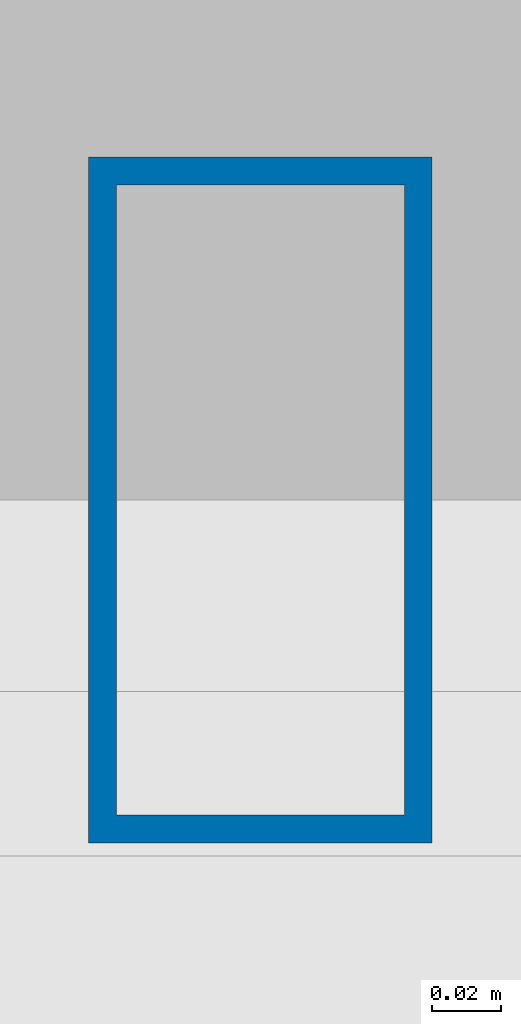
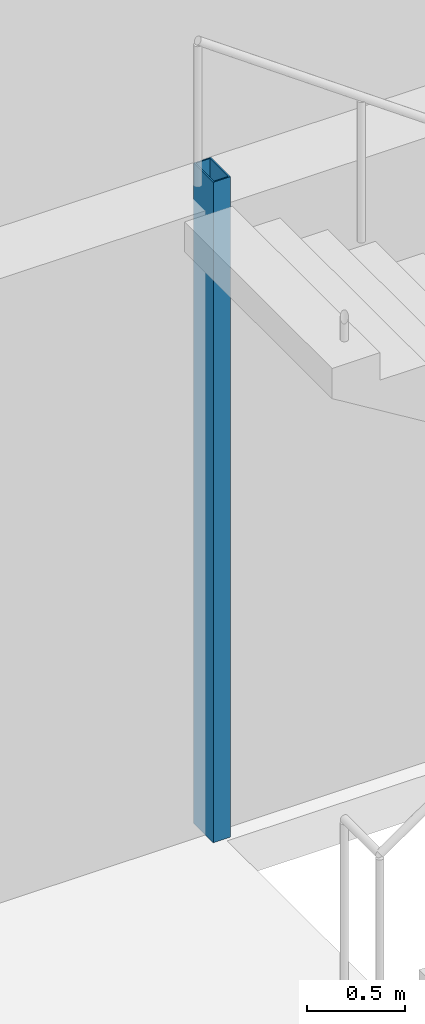
# One storey, part 2 of 15: 1 column.
"""IFC4 building model written with IfcOpenShell, lengths in metres."""

from ifc_helpers import new_model, si_unit, direction, frame, origin, origin_2d, place, context, subcontext, project, spatial, hollow_rectangle, extrude, material, material_profile, profile_set, type_object, element, save


model = new_model("IFC4")

# Units and contexts
model_context = context("Model", 3, precision=1e-05, world=origin(), true_north=direction((0.0, 1.0)))
body_context = subcontext(model_context, "Body", "Model", "MODEL_VIEW")
ifc_project = project(units=[si_unit("LENGTHUNIT", "METRE"), si_unit("AREAUNIT", "SQUARE_METRE"), si_unit("VOLUMEUNIT", "CUBIC_METRE"), si_unit("PLANEANGLEUNIT", "RADIAN"), si_unit("MASSUNIT", "GRAM", prefix="KILO")], contexts=[model_context])

# Site, building, storey
site_placement = place(None, origin())
site = spatial("IfcSite", under=ifc_project, at=site_placement, CompositionType="ELEMENT")
building_placement = place(site_placement, origin())
building = spatial("IfcBuilding", under=site, at=building_placement, Name="Menara Jurai Vektor", CompositionType="ELEMENT")
storey_placement = place(building_placement, frame((0.0, 0.0, 147.300048828125)))
storey = spatial("IfcBuildingStorey", under=building, at=storey_placement, Name="L37", CompositionType="ELEMENT", Elevation=147.300048828125)

# Column
ifc_material = material(Name="Steel S355", Category="steel")
ifc_material_profile = material_profile(ifc_material, hollow_rectangle(XDim=0.10009765625, YDim=0.199951171875, WallThickness=0.008056640625, at=origin_2d()), Name="RHS 200x100x8")
ifc_profile_set = profile_set([ifc_material_profile], Name="Steel S355")
column_type = type_object("IfcColumnType", Name="STR-COL-STAIR", PredefinedType="COLUMN", material=ifc_profile_set)
column_placement = place(storey_placement, frame((-11.1201171875, 5.419921875, 0.0), z_axis=(0.0, 0.0, 1.0), x_axis=(1.0, 0.0, 0.0)))
element("IfcColumn", 1, at=column_placement, inside=storey, type_object=column_type, Name="Stair Well Header Column ST1-P2 L37", PredefinedType="COLUMN", context=body_context, shape_type="SweptSolid", body=[
    extrude(hollow_rectangle(XDim=0.10009765625, YDim=0.199951171875, WallThickness=0.008056640625, at=origin_2d()), origin(), (0.0, 0.0, 1.0), 4.099853515625),
])

save(model, "model.ifc")
